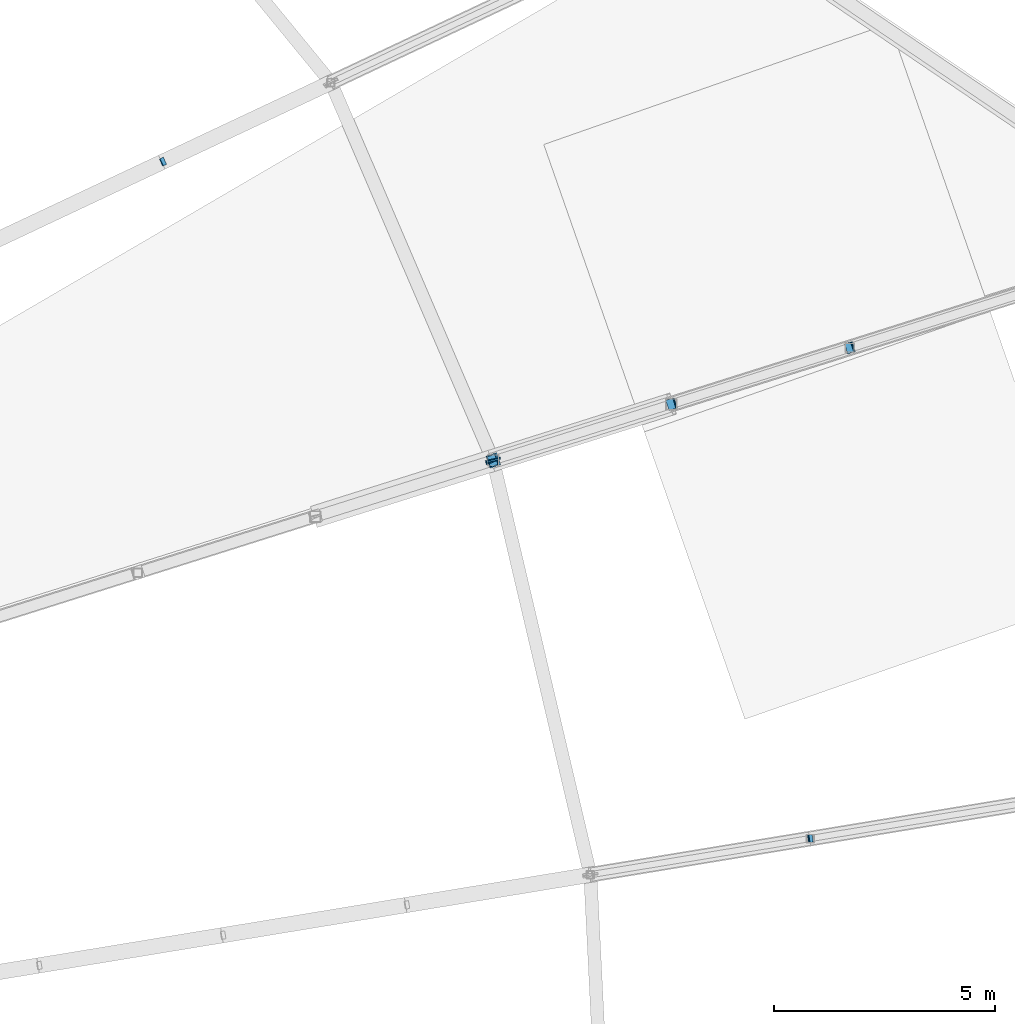
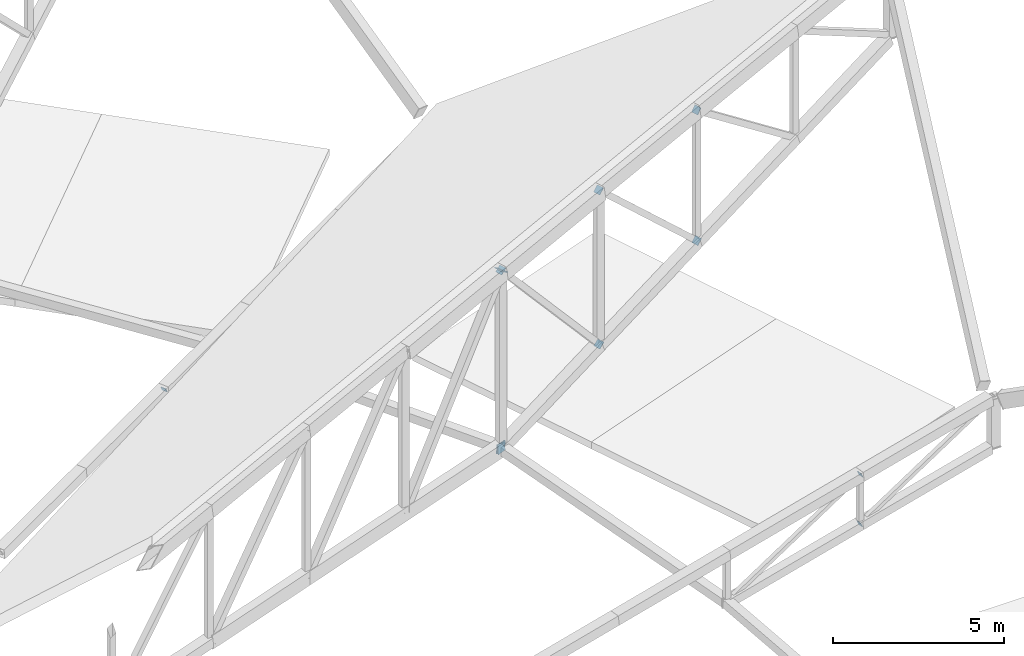
# One storey, part 182 of 188: 11 discrete accessories.
"""IFC4 building model written with IfcOpenShell, lengths in metres."""

from ifc_helpers import new_model, si_unit, direction, frame, origin, origin_2d, place, context, subcontext, project, spatial, rectangle, extrude, material, material_profile, profile_set, type_object, element, save


model = new_model("IFC4")

# Units and contexts
model_context = context("Model", 3, precision=1e-05, world=origin(), true_north=direction((0.0, 1.0)))
body_context = subcontext(model_context, "Body", "Model", "MODEL_VIEW")
ifc_project = project(units=[si_unit("LENGTHUNIT", "METRE"), si_unit("AREAUNIT", "SQUARE_METRE"), si_unit("VOLUMEUNIT", "CUBIC_METRE"), si_unit("PLANEANGLEUNIT", "RADIAN"), si_unit("MASSUNIT", "GRAM", prefix="KILO")], contexts=[model_context])

# Site, building, storey
site_placement = place(None, origin())
site = spatial("IfcSite", under=ifc_project, at=site_placement, CompositionType="ELEMENT")
building_placement = place(site_placement, origin())
building = spatial("IfcBuilding", under=site, at=building_placement, Name="Meseta Stadium", CompositionType="ELEMENT")
storey_placement = place(building_placement, frame((0.0, 0.0, 30.0)))
storey = spatial("IfcBuildingStorey", under=building, at=storey_placement, Name="ROOF", CompositionType="ELEMENT", Elevation=30.0)

# Discrete accessories
ifc_material_1 = material(Name="Steel S355", Category="steel")
ifc_material_profile_1 = material_profile(ifc_material_1, rectangle(XDim=0.179931640625, YDim=0.179931640625, at=origin_2d()), Name="PL 180x180")
ifc_profile_set_1 = profile_set([ifc_material_profile_1], Name="Steel S355")
discrete_accessory_type_1 = type_object("IfcDiscreteAccessoryType", Name="End plate 180x180x20", PredefinedType="ANCHORPLATE", material=ifc_profile_set_1)
discrete_accessory_1_placement = place(storey_placement, frame((89.309814453125, 54.62158203125, 3.110595703125), z_axis=(0.896600239651, 0.147386340765, 0.417594632166), x_axis=(-0.162206600298, 0.986756818481, 0.0)))
element("IfcDiscreteAccessory", 1, at=discrete_accessory_1_placement, inside=storey, type_object=discrete_accessory_type_1, Name="End plate of ROOF TRUSS RT-09 diagonal", PredefinedType="ANCHORPLATE", context=body_context, shape_type="SweptSolid", body=[
    extrude(rectangle(XDim=0.179931640625, YDim=0.179931640625, at=origin_2d()), origin(), (0.0, 0.0, 1.0), 0.019775390625),
])
for number, where, z_axis, x_axis, name in (
    (2, (89.291748046875, 54.61865234375, 1.345458984375), (0.898969631887, 0.145778859225, 0.413040101137), (-0.160071158554, 0.987105477748, 0.0), "End plate of ROOF TRUSS RT-09 diagonal"),
    (3, (74.630126953125, 69.958740234375, 1.97802734375), (0.802672654344, 0.377012913404, 0.462144861592), (-0.425136471467, 0.905129261834, 0.0), "End plate of ROOF TRUSS RT-11 diagonal"),
):
    element("IfcDiscreteAccessory", number, at=place(storey_placement, frame(where, z_axis=z_axis, x_axis=x_axis)), inside=storey, type_object=discrete_accessory_type_1, Name=name, PredefinedType="ANCHORPLATE", context=body_context, shape_type="SweptSolid", body=[
        extrude(rectangle(XDim=0.179931640625, YDim=0.179931640625, at=origin_2d()), origin(), (0.0, 0.0, 1.0), 0.02001953125),
    ])
ifc_material_2 = material(Name="Steel S355", Category="steel")
ifc_material_profile_2 = material_profile(ifc_material_2, rectangle(XDim=0.239990234375, YDim=0.239990234375, at=origin_2d()), Name="PL 240x240")
ifc_profile_set_2 = profile_set([ifc_material_profile_2], Name="Steel S355")
discrete_accessory_type_2 = type_object("IfcDiscreteAccessoryType", Name="End plate 240x240x20", PredefinedType="ANCHORPLATE", material=ifc_profile_set_2)
for number, where, z_axis, x_axis, name in (
    (4, (82.107177734375, 63.187255859375, 7.74560546875), (0.63040723846, 0.193971457988, -0.751639399702), (-0.294085848838, 0.955779008722, 0.0), "End plate of ROOF TRUSS RT-10 diagonal"),
    (5, (86.16259765625, 64.4677734375, 2.904052734375), (0.63040723846, 0.193971457988, -0.751639399702), (-0.294085848838, 0.955779008722, 0.0), "End plate of ROOF TRUSS RT-10 diagonal"),
    (6, (86.148681640625, 64.46337890625, 8.417724609375), (0.695898595108, 0.219757451087, -0.683689847825), (-0.301131367937, 0.953582665134, 0.0), "End plate of ROOF TRUSS RT-10 diagonal"),
    (7, (90.20556640625, 65.744384765625, 4.410888671875), (0.695898595108, 0.219757451087, -0.683689847825), (-0.301131367937, 0.953582665134, 0.0), "End plate of ROOF TRUSS RT-10 diagonal"),
    (8, (90.190185546875, 65.739501953125, 9.08935546875), (0.771223025002, 0.24483270635, -0.58759849524), (-0.302579132427, 0.953124267145, 0.0), "End plate of ROOF TRUSS RT-10 diagonal"),
):
    element("IfcDiscreteAccessory", number, at=place(storey_placement, frame(where, z_axis=z_axis, x_axis=x_axis)), inside=storey, type_object=discrete_accessory_type_2, Name=name, PredefinedType="ANCHORPLATE", context=body_context, shape_type="SweptSolid", body=[
        extrude(rectangle(XDim=0.239990234375, YDim=0.239990234375, at=origin_2d()), origin(), (0.0, 0.0, 1.0), 0.02001953125),
    ])
ifc_material_3 = material(Name="Steel S355", Category="steel")
ifc_material_profile_3 = material_profile(ifc_material_3, rectangle(XDim=0.2900390625, YDim=0.2900390625, at=origin_2d()), Name="PL 290x290")
ifc_profile_set_3 = profile_set([ifc_material_profile_3], Name="Steel S355")
discrete_accessory_type_3 = type_object("IfcDiscreteAccessoryType", Name="End plate 290x290x20", PredefinedType="ANCHORPLATE", material=ifc_profile_set_3)
discrete_accessory_2_placement = place(storey_placement, frame((82.119873046875, 63.191162109375, 7.73046875), z_axis=(0.521221693783, 0.169700086348, 0.836378997001), x_axis=(-0.309586047461, 0.950871431487, 0.0)))
element("IfcDiscreteAccessory", 9, at=discrete_accessory_2_placement, inside=storey, type_object=discrete_accessory_type_3, Name="End plate of ROOF TRUSS RT-10 diagonal", PredefinedType="ANCHORPLATE", context=body_context, shape_type="SweptSolid", body=[
    extrude(rectangle(XDim=0.2900390625, YDim=0.2900390625, at=origin_2d()), origin(), (0.0, 0.0, 1.0), 0.02001953125),
])
ifc_material_4 = material(Name="Steel S355", Category="steel")
ifc_material_profile_4 = material_profile(ifc_material_4, rectangle(XDim=0.340087890625, YDim=0.340087890625, at=origin_2d()), Name="PL 340x340")
ifc_profile_set_4 = profile_set([ifc_material_profile_4], Name="Steel S355")
discrete_accessory_type_4 = type_object("IfcDiscreteAccessoryType", Name="End plate 340x340x20", PredefinedType="ANCHORPLATE", material=ifc_profile_set_4)
for number, where, z_axis, x_axis, name in (
    (10, (82.119873046875, 63.191162109375, 1.397216796875), (-0.230646396231, 0.971142720972, 0.060696420061), (-0.97293655072, -0.231072430796, 0.0), "End plate of ROOF PIVOT STRUT RT-09/10"),
    (11, (82.127685546875, 63.1728515625, 1.3984375), (-0.391702981418, 0.918053862699, -0.061203590847), (-0.919778168081, -0.392438685048, 0.0), "End plate of ROOF PIVOT STRUT RT-10/11"),
):
    element("IfcDiscreteAccessory", number, at=place(storey_placement, frame(where, z_axis=z_axis, x_axis=x_axis)), inside=storey, type_object=discrete_accessory_type_4, Name=name, PredefinedType="ANCHORPLATE", context=body_context, shape_type="SweptSolid", body=[
        extrude(rectangle(XDim=0.340087890625, YDim=0.340087890625, at=origin_2d()), origin(), (0.0, 0.0, 1.0), 0.02001953125),
    ])

save(model, "model.ifc")
